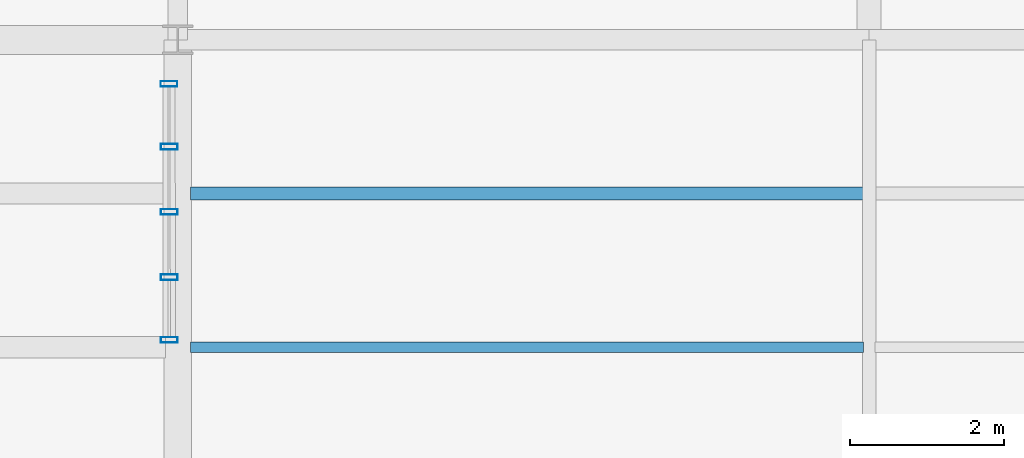
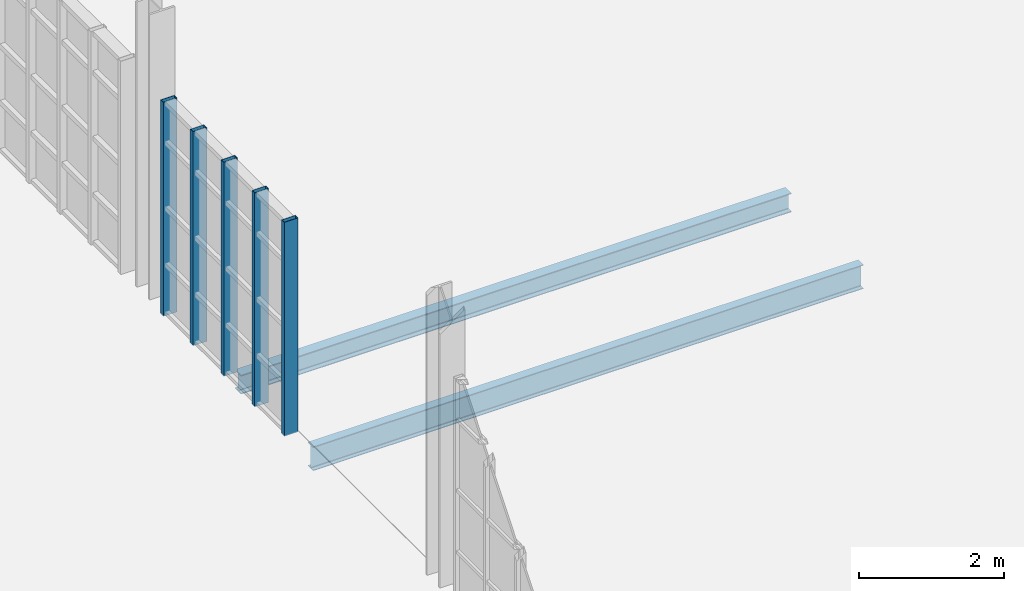
# One storey, part 52 of 85: 5 members, 2 beams, 1 element without a shape of its own.
"""IFC4 building model written with IfcOpenShell, lengths in metres."""

import ifcopenshell
import ifcopenshell.guid

model = None  # the IFC model being written
_history = None  # IfcOwnerHistory: only IFC2X3 demands one
_inside = {}  # id of a spatial element -> (the spatial element, [elements in it])
_under = {}  # id of a project, library or spatial element -> (it, [spatial elements below it])
_declared = {}  # id of a project -> (the project, [libraries it declares])
_typed = {}  # id of a type object -> (the type object, [elements of that type])
_made_of = {}  # id of a material, layer set ... -> (it, [elements and type objects made of it])


def new_model(schema):
    """Start an empty IFC model of exactly this schema.

    Asked for "IFC4X3", IfcOpenShell would pick the latest addendum, in which some entities
    have other attributes; the version numbers below select the first issue.
    IFC2X3 requires an IfcOwnerHistory on every rooted entity: one is made here for all.
    """
    global model, _history
    if schema == "IFC4X3":
        model = ifcopenshell.file(schema_version=(4, 3, 0, 0))
    else:
        model = ifcopenshell.file(schema=schema)
    _inside.clear()
    _under.clear()
    _declared.clear()
    _typed.clear()
    _made_of.clear()
    _history = None
    if model.schema == "IFC2X3":
        org = make("IfcOrganization", Name="unknown")
        user = make(
            "IfcPersonAndOrganization",
            ThePerson=make("IfcPerson", FamilyName="unknown"),
            TheOrganization=org,
        )
        app = make(
            "IfcApplication",
            ApplicationDeveloper=org,
            Version="unknown",
            ApplicationFullName="unknown",
            ApplicationIdentifier="unknown",
        )
        _history = make(
            "IfcOwnerHistory",
            OwningUser=user,
            OwningApplication=app,
            ChangeAction="ADDED",
            CreationDate=0,
        )
    return model


def make(cls, **values):
    """One entity of the class cls with the attributes given. An attribute that is None is left unset."""
    return model.create_entity(
        cls, **{name: value for name, value in values.items() if value is not None}
    )


def rooted(cls, **values):
    """An entity with a GlobalId (a new one), such as an element, a storey or a relation."""
    return make(cls, GlobalId=ifcopenshell.guid.new(), OwnerHistory=_history, **values)


def si_unit(unit_type, name, prefix=None):
    """IfcSIUnit, for example si_unit("LENGTHUNIT", "METRE", prefix="MILLI")."""
    return make("IfcSIUnit", UnitType=unit_type, Prefix=prefix, Name=name)


def assignment(units):
    """IfcUnitAssignment: the units of a project."""
    return None if units is None else make("IfcUnitAssignment", Units=units)


def point(xyz):
    """IfcCartesianPoint."""
    return None if xyz is None else make("IfcCartesianPoint", Coordinates=xyz)


def direction(xyz):
    """IfcDirection."""
    return None if xyz is None else make("IfcDirection", DirectionRatios=xyz)


def frame(location, z_axis=None, x_axis=None):
    """IfcAxis2Placement3D, a coordinate frame: its origin and axes. An axis left out is left unset."""
    return make(
        "IfcAxis2Placement3D",
        Location=point(location),
        Axis=direction(z_axis),
        RefDirection=direction(x_axis),
    )


def frame_2d(location, x_axis=None):
    """IfcAxis2Placement2D, a coordinate frame in the plane: its origin and x axis."""
    return make(
        "IfcAxis2Placement2D", Location=point(location), RefDirection=direction(x_axis)
    )


def origin():
    """The frame at (0, 0, 0) with its axes left unset."""
    return frame((0.0, 0.0, 0.0))


def origin_2d():
    """The frame at (0, 0) in the plane with its x axis left unset."""
    return frame_2d((0.0, 0.0))


def place(relative_to, where):
    """IfcLocalPlacement: puts the frame where relative to a parent placement (None: the world)."""
    return make(
        "IfcLocalPlacement", PlacementRelTo=relative_to, RelativePlacement=where
    )


def context(
    kind, dimensions, precision=None, world=None, true_north=None, identifier=None
):
    """IfcGeometricRepresentationContext, for example the 3D "Model" context."""
    return make(
        "IfcGeometricRepresentationContext",
        ContextIdentifier=identifier,
        ContextType=kind,
        CoordinateSpaceDimension=dimensions,
        Precision=precision,
        WorldCoordinateSystem=world,
        TrueNorth=true_north,
    )


def subcontext(parent, identifier, kind, view, scale=None):
    """IfcGeometricRepresentationSubContext, for example "Body" below "Model"."""
    return make(
        "IfcGeometricRepresentationSubContext",
        ContextIdentifier=identifier,
        ContextType=kind,
        ParentContext=parent,
        TargetScale=scale,
        TargetView=view,
    )


def project(units=None, contexts=None):
    """IfcProject with its units and contexts."""
    return rooted(
        "IfcProject",
        Name="project",
        RepresentationContexts=contexts,
        UnitsInContext=assignment(units),
    )


def spatial(cls, under=None, at=None, **own):
    """A site, building, storey or space (cls), placed at a placement, below another one or the project."""
    s = rooted(cls, ObjectPlacement=at, **own)
    if under is not None:
        _under.setdefault(under.id(), (under, []))[1].append(s)
    return s


def profile(cls, at=None, kind="AREA", **sizes):
    """A parametric profile (cls). Its sizes go by their IFC names, for example OverallWidth=200.0."""
    return make(cls, ProfileType=kind, Position=at, **sizes)


def hollow_rectangle(**sizes):
    """IfcRectangleHollowProfileDef."""
    return profile("IfcRectangleHollowProfileDef", **sizes)


def i_section(**sizes):
    """IfcIShapeProfileDef."""
    return profile("IfcIShapeProfileDef", **sizes)


def extrude(swept, where, along, depth):
    """IfcExtrudedAreaSolid: the profile swept, set in the frame where, extruded along a direction by depth."""
    return make(
        "IfcExtrudedAreaSolid",
        SweptArea=swept,
        Position=where,
        ExtrudedDirection=direction(along),
        Depth=depth,
    )


def shape(context_of_items, identifier, shape_type, items):
    """IfcShapeRepresentation: the items that make up one representation, for example the "Body"."""
    return make(
        "IfcShapeRepresentation",
        ContextOfItems=context_of_items,
        RepresentationIdentifier=identifier,
        RepresentationType=shape_type,
        Items=items,
    )


def material(Name=None, Category=None):
    """IfcMaterial."""
    return make("IfcMaterial", Name=Name, Category=Category)


def layer(
    of_material, thickness, ventilated=None, Name=None, Category=None, Priority=None
):
    """IfcMaterialLayer: one layer of a wall or slab, of a material (None: an air gap)."""
    return make(
        "IfcMaterialLayer",
        Material=of_material,
        LayerThickness=thickness,
        IsVentilated=ventilated,
        Name=Name,
        Category=Category,
        Priority=Priority,
    )


def layer_set(layers, Name=None):
    """IfcMaterialLayerSet."""
    return make("IfcMaterialLayerSet", MaterialLayers=layers, LayerSetName=Name)


def material_profile(
    of_material, cross_section, Name=None, Category=None, Priority=None
):
    """IfcMaterialProfile: a cross section and its material."""
    return make(
        "IfcMaterialProfile",
        Name=Name,
        Material=of_material,
        Profile=cross_section,
        Priority=Priority,
        Category=Category,
    )


def profile_set(profiles, Name=None, composite=None):
    """IfcMaterialProfileSet."""
    return make(
        "IfcMaterialProfileSet",
        Name=Name,
        MaterialProfiles=profiles,
        CompositeProfile=composite,
    )


def made_of(thing, what):
    """Note that an element or type object is made of a material, layer set ...; save() writes the relation."""
    if what is not None:
        _made_of.setdefault(what.id(), (what, []))[1].append(thing)
    return thing


def type_object(cls, material=None, **own):
    """A type object (cls), such as IfcWallType, which elements share."""
    return made_of(rooted(cls, **own), material)


def element(
    cls,
    number,
    at=None,
    inside=None,
    cuts=None,
    type_object=None,
    material=None,
    context=None,
    identifier="Body",
    shape_type=None,
    held_by="IfcProductDefinitionShape",
    body=None,
    shapes=None,
    **own,
):
    """One element of the class cls, such as IfcWall. Its Tag is "e" and its number.

    at: its placement. inside: the storey or other place that contains it. cuts: it is an
    opening in that element (IfcRelVoidsElement). A single representation is given by context,
    identifier, shape_type and body (its items); several are given by shapes. held_by: the class
    of the entity that holds the representations. save() writes the other relations.
    """
    e = rooted(cls, Tag="e%d" % number, ObjectPlacement=at, **own)
    if body is not None:
        shapes = [shape(context, identifier, shape_type, body)]
    if shapes is not None:
        e.Representation = make(held_by, Representations=shapes)
    if inside is not None:
        _inside.setdefault(inside.id(), (inside, []))[1].append(e)
    if cuts is not None:
        rooted(
            "IfcRelVoidsElement", RelatingBuildingElement=cuts, RelatedOpeningElement=e
        )
    if type_object is not None:
        _typed.setdefault(type_object.id(), (type_object, []))[1].append(e)
    return made_of(e, material)


def aggregate(whole, parts):
    """IfcRelAggregates: a whole, such as a stair, and the parts it consists of."""
    return rooted("IfcRelAggregates", RelatingObject=whole, RelatedObjects=parts)


def save(model, path):
    """Write the relations noted so far, then the file.

    IfcRelAggregates (storeys below a building ...), IfcRelContainedInSpatialStructure (elements
    in a storey), IfcRelDefinesByType, IfcRelAssociatesMaterial and IfcRelDeclares: one each for
    every whole, place, type object, material and project.
    """
    for whole, parts in _under.values():
        aggregate(whole, parts)
    for where, things in _inside.values():
        rooted(
            "IfcRelContainedInSpatialStructure",
            RelatedElements=things,
            RelatingStructure=where,
        )
    for kind, things in _typed.values():
        rooted("IfcRelDefinesByType", RelatedObjects=things, RelatingType=kind)
    for what, things in _made_of.values():
        rooted("IfcRelAssociatesMaterial", RelatedObjects=things, RelatingMaterial=what)
    for by, libraries in _declared.values():
        rooted("IfcRelDeclares", RelatingContext=by, RelatedDefinitions=libraries)
    model.write(path)


model = new_model("IFC4")

# Units and contexts
model_context = context("Model", 3, precision=1e-05, world=origin(), true_north=direction((0.0, 1.0)))
body_context = subcontext(model_context, "Body", "Model", "MODEL_VIEW")
ifc_project = project(units=[si_unit("LENGTHUNIT", "METRE"), si_unit("AREAUNIT", "SQUARE_METRE"), si_unit("VOLUMEUNIT", "CUBIC_METRE"), si_unit("PLANEANGLEUNIT", "RADIAN"), si_unit("MASSUNIT", "GRAM", prefix="KILO"), si_unit("THERMODYNAMICTEMPERATUREUNIT", "KELVIN"), si_unit("POWERUNIT", "WATT")], contexts=[model_context])

# Site, building, storey
site_placement = place(None, origin())
site = spatial("IfcSite", under=ifc_project, at=site_placement, CompositionType="ELEMENT")
building_placement = place(site_placement, origin())
building = spatial("IfcBuilding", under=site, at=building_placement, Name="Zelmaris Science Centre", CompositionType="ELEMENT")
storey_placement = place(building_placement, frame((0.0, 0.0, 20.39990234375)))
storey = spatial("IfcBuildingStorey", under=building, at=storey_placement, Name="L04", CompositionType="ELEMENT", Elevation=20.39990234375)

# Curtain wall, members
ifc_material_1 = material(Name="Anodised architectural aluminium 6063-T6", Category="aluminium")
ifc_layer = layer(ifc_material_1, 0.199951171875, Name="Anodised architectural aluminium 6063-T6")
ifc_layer_set = layer_set([ifc_layer], Name="Anodised architectural aluminium 6063-T6")
curtain_wall_type = type_object("IfcCurtainWallType", Name="Curtain Wall CW-02", PredefinedType="USERDEFINED", material=ifc_layer_set)
curtain_wall_placement = place(storey_placement, origin())
curtain_wall = element("IfcCurtainWall", 1, at=curtain_wall_placement, inside=storey, type_object=curtain_wall_type, Name="L04 Unitised curtain wall 346", ObjectType="GLAZED CURTAIN WALL", PredefinedType="USERDEFINED")
ifc_material_profile_1 = material_profile(ifc_material_1, hollow_rectangle(XDim=0.074951171875, YDim=0.219970703125, WallThickness=0.0048828125, at=origin_2d()), Name="ALU-MUL-75X220")
ifc_profile_set_1 = profile_set([ifc_material_profile_1], Name="Anodised architectural aluminium 6063-T6")
member_type = type_object("IfcMemberType", Name="ALU-MUL-75X220", PredefinedType="MULLION", material=ifc_profile_set_1)
member_1_placement = place(storey_placement, frame((80.885009765625, 79.426513671875, -0.014892578125), z_axis=(0.0, 0.0, 1.0), x_axis=(0.000771435453, -0.999999702444, 0.0)))
member_1 = element("IfcMember", 2, at=member_1_placement, type_object=member_type, Name="CW-02 mullion 1", PredefinedType="MULLION", context=body_context, shape_type="SweptSolid", body=[
    extrude(hollow_rectangle(XDim=0.074951171875, YDim=0.219970703125, WallThickness=0.0048828125, at=origin_2d()), origin(), (0.0, 0.0, 1.0), 3.60302734375),
])
member_2_placement = place(storey_placement, frame((80.8857421875, 78.60986328125, -0.014892578125), z_axis=(0.0, 0.0, 1.0), x_axis=(0.000771435453, -0.999999702444, 0.0)))
member_2 = element("IfcMember", 3, at=member_2_placement, type_object=member_type, Name="CW-02 mullion 2", PredefinedType="MULLION", context=body_context, shape_type="SweptSolid", body=[
    extrude(hollow_rectangle(XDim=0.074951171875, YDim=0.219970703125, WallThickness=0.0048828125, at=origin_2d()), origin(), (0.0, 0.0, 1.0), 3.60302734375),
])
member_3_placement = place(storey_placement, frame((80.886474609375, 77.760009765625, -0.014892578125), z_axis=(0.0, 0.0, 1.0), x_axis=(0.000771435453, -0.999999702444, 0.0)))
member_3 = element("IfcMember", 4, at=member_3_placement, type_object=member_type, Name="CW-02 mullion 3", PredefinedType="MULLION", context=body_context, shape_type="SweptSolid", body=[
    extrude(hollow_rectangle(XDim=0.074951171875, YDim=0.219970703125, WallThickness=0.0048828125, at=origin_2d()), origin(), (0.0, 0.0, 1.0), 3.60302734375),
])
member_4_placement = place(storey_placement, frame((80.88720703125, 76.909912109375, -0.014892578125), z_axis=(0.0, 0.0, 1.0), x_axis=(0.000771435453, -0.999999702444, 0.0)))
member_4 = element("IfcMember", 5, at=member_4_placement, type_object=member_type, Name="CW-02 mullion 4", PredefinedType="MULLION", context=body_context, shape_type="SweptSolid", body=[
    extrude(hollow_rectangle(XDim=0.074951171875, YDim=0.219970703125, WallThickness=0.0048828125, at=origin_2d()), origin(), (0.0, 0.0, 1.0), 3.60302734375),
])
member_5_placement = place(storey_placement, frame((80.8876953125, 76.093505859375, -0.014892578125), z_axis=(0.0, 0.0, 1.0), x_axis=(0.000771435453, -0.999999702444, 0.0)))
member_5 = element("IfcMember", 6, at=member_5_placement, type_object=member_type, Name="CW-02 mullion 5", PredefinedType="MULLION", context=body_context, shape_type="SweptSolid", body=[
    extrude(hollow_rectangle(XDim=0.074951171875, YDim=0.219970703125, WallThickness=0.0048828125, at=origin_2d()), origin(), (0.0, 0.0, 1.0), 3.60302734375),
])
aggregate(curtain_wall, [member_1, member_2, member_3, member_4, member_5])

# Beams
ifc_material_2 = material(Name="Steel ASTM A992 Grade 50", Category="steel")
ifc_material_profile_2 = material_profile(ifc_material_2, i_section(OverallWidth=0.139892578125, OverallDepth=0.404052734375, WebThickness=0.007080078125, FlangeThickness=0.01123046875, FilletRadius=0.011962890625, at=origin_2d()), Name="W16X31")
ifc_profile_set_2 = profile_set([ifc_material_profile_2], Name="Steel ASTM A992 Grade 50")
beam_type_1 = type_object("IfcBeamType", Name="Beam J-08 W16X31", PredefinedType="JOIST", material=ifc_profile_set_2)
beam_1_placement = place(storey_placement, frame((81.1630859375, 76.0, -0.451904296875), z_axis=(1.0, 0.0, 0.0), x_axis=(0.0, 1.0, 0.0)))
element("IfcBeam", 7, at=beam_1_placement, inside=storey, type_object=beam_type_1, Name="L04 Composite floor joist 403", PredefinedType="JOIST", context=body_context, shape_type="SweptSolid", body=[
    extrude(i_section(OverallWidth=0.139892578125, OverallDepth=0.404052734375, WebThickness=0.007080078125, FlangeThickness=0.01123046875, FilletRadius=0.011962890625, at=origin_2d()), origin(), (0.0, 0.0, 1.0), 8.762939453125),
])
ifc_material_profile_3 = material_profile(ifc_material_2, i_section(OverallWidth=0.1669921875, OverallDepth=0.318115234375, WebThickness=0.007568359375, FlangeThickness=0.01318359375, FilletRadius=0.011962890625, at=origin_2d()), Name="W12X35")
ifc_profile_set_3 = profile_set([ifc_material_profile_3], Name="Steel ASTM A992 Grade 50")
beam_type_2 = type_object("IfcBeamType", Name="Beam J-09 W12X35", PredefinedType="JOIST", material=ifc_profile_set_3)
beam_2_placement = place(storey_placement, frame((81.1630859375, 78.0, -0.408935546875), z_axis=(1.0, 0.0, 0.0), x_axis=(0.0, 1.0, 0.0)))
element("IfcBeam", 8, at=beam_2_placement, inside=storey, type_object=beam_type_2, Name="L04 Composite floor joist 404", PredefinedType="JOIST", context=body_context, shape_type="SweptSolid", body=[
    extrude(i_section(OverallWidth=0.1669921875, OverallDepth=0.318115234375, WebThickness=0.007568359375, FlangeThickness=0.01318359375, FilletRadius=0.011962890625, at=origin_2d()), origin(), (0.0, 0.0, 1.0), 8.762939453125),
])

save(model, "model.ifc")
